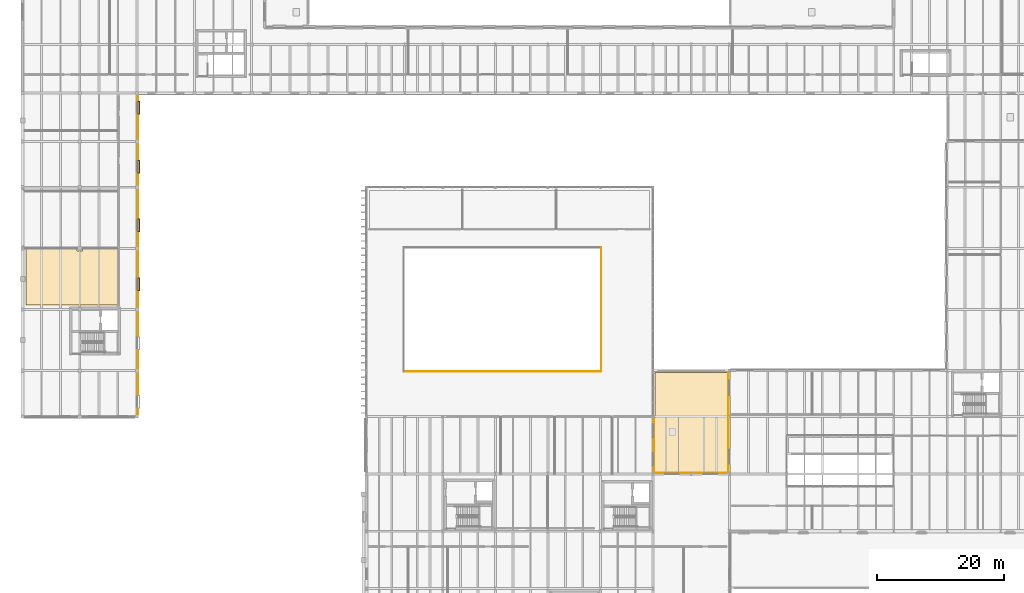
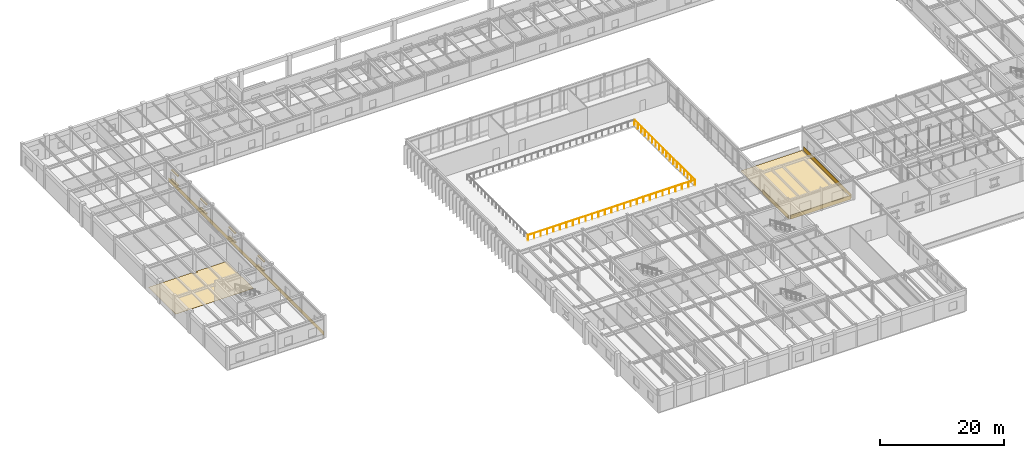
# One storey, part 60 of 64: 14 coverings, 2 railings.
"""IFC4 building model written with IfcOpenShell, lengths in metres."""

import ifcopenshell
import ifcopenshell.guid

model = None  # the IFC model being written
_history = None  # IfcOwnerHistory: only IFC2X3 demands one
_inside = {}  # id of a spatial element -> (the spatial element, [elements in it])
_under = {}  # id of a project, library or spatial element -> (it, [spatial elements below it])
_declared = {}  # id of a project -> (the project, [libraries it declares])
_typed = {}  # id of a type object -> (the type object, [elements of that type])
_made_of = {}  # id of a material, layer set ... -> (it, [elements and type objects made of it])


def new_model(schema):
    """Start an empty IFC model of exactly this schema.

    Asked for "IFC4X3", IfcOpenShell would pick the latest addendum, in which some entities
    have other attributes; the version numbers below select the first issue.
    IFC2X3 requires an IfcOwnerHistory on every rooted entity: one is made here for all.
    """
    global model, _history
    if schema == "IFC4X3":
        model = ifcopenshell.file(schema_version=(4, 3, 0, 0))
    else:
        model = ifcopenshell.file(schema=schema)
    _inside.clear()
    _under.clear()
    _declared.clear()
    _typed.clear()
    _made_of.clear()
    _history = None
    if model.schema == "IFC2X3":
        org = make("IfcOrganization", Name="unknown")
        user = make(
            "IfcPersonAndOrganization",
            ThePerson=make("IfcPerson", FamilyName="unknown"),
            TheOrganization=org,
        )
        app = make(
            "IfcApplication",
            ApplicationDeveloper=org,
            Version="unknown",
            ApplicationFullName="unknown",
            ApplicationIdentifier="unknown",
        )
        _history = make(
            "IfcOwnerHistory",
            OwningUser=user,
            OwningApplication=app,
            ChangeAction="ADDED",
            CreationDate=0,
        )
    return model


def make(cls, **values):
    """One entity of the class cls with the attributes given. An attribute that is None is left unset."""
    return model.create_entity(
        cls, **{name: value for name, value in values.items() if value is not None}
    )


def rooted(cls, **values):
    """An entity with a GlobalId (a new one), such as an element, a storey or a relation."""
    return make(cls, GlobalId=ifcopenshell.guid.new(), OwnerHistory=_history, **values)


def si_unit(unit_type, name, prefix=None):
    """IfcSIUnit, for example si_unit("LENGTHUNIT", "METRE", prefix="MILLI")."""
    return make("IfcSIUnit", UnitType=unit_type, Prefix=prefix, Name=name)


def assignment(units):
    """IfcUnitAssignment: the units of a project."""
    return None if units is None else make("IfcUnitAssignment", Units=units)


def point(xyz):
    """IfcCartesianPoint."""
    return None if xyz is None else make("IfcCartesianPoint", Coordinates=xyz)


def direction(xyz):
    """IfcDirection."""
    return None if xyz is None else make("IfcDirection", DirectionRatios=xyz)


def frame(location, z_axis=None, x_axis=None):
    """IfcAxis2Placement3D, a coordinate frame: its origin and axes. An axis left out is left unset."""
    return make(
        "IfcAxis2Placement3D",
        Location=point(location),
        Axis=direction(z_axis),
        RefDirection=direction(x_axis),
    )


def frame_2d(location, x_axis=None):
    """IfcAxis2Placement2D, a coordinate frame in the plane: its origin and x axis."""
    return make(
        "IfcAxis2Placement2D", Location=point(location), RefDirection=direction(x_axis)
    )


def origin():
    """The frame at (0, 0, 0) with its axes left unset."""
    return frame((0.0, 0.0, 0.0))


def origin_2d():
    """The frame at (0, 0) in the plane with its x axis left unset."""
    return frame_2d((0.0, 0.0))


def place(relative_to, where):
    """IfcLocalPlacement: puts the frame where relative to a parent placement (None: the world)."""
    return make(
        "IfcLocalPlacement", PlacementRelTo=relative_to, RelativePlacement=where
    )


def context(
    kind, dimensions, precision=None, world=None, true_north=None, identifier=None
):
    """IfcGeometricRepresentationContext, for example the 3D "Model" context."""
    return make(
        "IfcGeometricRepresentationContext",
        ContextIdentifier=identifier,
        ContextType=kind,
        CoordinateSpaceDimension=dimensions,
        Precision=precision,
        WorldCoordinateSystem=world,
        TrueNorth=true_north,
    )


def subcontext(parent, identifier, kind, view, scale=None):
    """IfcGeometricRepresentationSubContext, for example "Body" below "Model"."""
    return make(
        "IfcGeometricRepresentationSubContext",
        ContextIdentifier=identifier,
        ContextType=kind,
        ParentContext=parent,
        TargetScale=scale,
        TargetView=view,
    )


def project(units=None, contexts=None):
    """IfcProject with its units and contexts."""
    return rooted(
        "IfcProject",
        Name="project",
        RepresentationContexts=contexts,
        UnitsInContext=assignment(units),
    )


def spatial(cls, under=None, at=None, **own):
    """A site, building, storey or space (cls), placed at a placement, below another one or the project."""
    s = rooted(cls, ObjectPlacement=at, **own)
    if under is not None:
        _under.setdefault(under.id(), (under, []))[1].append(s)
    return s


def polyline(points):
    """IfcPolyline through the points."""
    return make("IfcPolyline", Points=[point(p) for p in points])


def profile(cls, at=None, kind="AREA", **sizes):
    """A parametric profile (cls). Its sizes go by their IFC names, for example OverallWidth=200.0."""
    return make(cls, ProfileType=kind, Position=at, **sizes)


def rectangle(**sizes):
    """IfcRectangleProfileDef."""
    return profile("IfcRectangleProfileDef", **sizes)


def circle(**sizes):
    """IfcCircleProfileDef."""
    return profile("IfcCircleProfileDef", **sizes)


def outline(outer, holes=None, kind="AREA"):
    """IfcArbitraryClosedProfileDef: a profile drawn as a closed curve; with holes, ...WithVoids."""
    if holes is None:
        return make("IfcArbitraryClosedProfileDef", ProfileType=kind, OuterCurve=outer)
    return make(
        "IfcArbitraryProfileDefWithVoids",
        ProfileType=kind,
        OuterCurve=outer,
        InnerCurves=holes,
    )


def extrude(swept, where, along, depth):
    """IfcExtrudedAreaSolid: the profile swept, set in the frame where, extruded along a direction by depth."""
    return make(
        "IfcExtrudedAreaSolid",
        SweptArea=swept,
        Position=where,
        ExtrudedDirection=direction(along),
        Depth=depth,
    )


def shape(context_of_items, identifier, shape_type, items):
    """IfcShapeRepresentation: the items that make up one representation, for example the "Body"."""
    return make(
        "IfcShapeRepresentation",
        ContextOfItems=context_of_items,
        RepresentationIdentifier=identifier,
        RepresentationType=shape_type,
        Items=items,
    )


def material(Name=None, Category=None):
    """IfcMaterial."""
    return make("IfcMaterial", Name=Name, Category=Category)


def layer(
    of_material, thickness, ventilated=None, Name=None, Category=None, Priority=None
):
    """IfcMaterialLayer: one layer of a wall or slab, of a material (None: an air gap)."""
    return make(
        "IfcMaterialLayer",
        Material=of_material,
        LayerThickness=thickness,
        IsVentilated=ventilated,
        Name=Name,
        Category=Category,
        Priority=Priority,
    )


def layer_set(layers, Name=None):
    """IfcMaterialLayerSet."""
    return make("IfcMaterialLayerSet", MaterialLayers=layers, LayerSetName=Name)


def made_of(thing, what):
    """Note that an element or type object is made of a material, layer set ...; save() writes the relation."""
    if what is not None:
        _made_of.setdefault(what.id(), (what, []))[1].append(thing)
    return thing


def type_object(cls, material=None, **own):
    """A type object (cls), such as IfcWallType, which elements share."""
    return made_of(rooted(cls, **own), material)


def element(
    cls,
    number,
    at=None,
    inside=None,
    cuts=None,
    type_object=None,
    material=None,
    context=None,
    identifier="Body",
    shape_type=None,
    held_by="IfcProductDefinitionShape",
    body=None,
    shapes=None,
    **own,
):
    """One element of the class cls, such as IfcWall. Its Tag is "e" and its number.

    at: its placement. inside: the storey or other place that contains it. cuts: it is an
    opening in that element (IfcRelVoidsElement). A single representation is given by context,
    identifier, shape_type and body (its items); several are given by shapes. held_by: the class
    of the entity that holds the representations. save() writes the other relations.
    """
    e = rooted(cls, Tag="e%d" % number, ObjectPlacement=at, **own)
    if body is not None:
        shapes = [shape(context, identifier, shape_type, body)]
    if shapes is not None:
        e.Representation = make(held_by, Representations=shapes)
    if inside is not None:
        _inside.setdefault(inside.id(), (inside, []))[1].append(e)
    if cuts is not None:
        rooted(
            "IfcRelVoidsElement", RelatingBuildingElement=cuts, RelatedOpeningElement=e
        )
    if type_object is not None:
        _typed.setdefault(type_object.id(), (type_object, []))[1].append(e)
    return made_of(e, material)


def aggregate(whole, parts):
    """IfcRelAggregates: a whole, such as a stair, and the parts it consists of."""
    return rooted("IfcRelAggregates", RelatingObject=whole, RelatedObjects=parts)


def save(model, path):
    """Write the relations noted so far, then the file.

    IfcRelAggregates (storeys below a building ...), IfcRelContainedInSpatialStructure (elements
    in a storey), IfcRelDefinesByType, IfcRelAssociatesMaterial and IfcRelDeclares: one each for
    every whole, place, type object, material and project.
    """
    for whole, parts in _under.values():
        aggregate(whole, parts)
    for where, things in _inside.values():
        rooted(
            "IfcRelContainedInSpatialStructure",
            RelatedElements=things,
            RelatingStructure=where,
        )
    for kind, things in _typed.values():
        rooted("IfcRelDefinesByType", RelatedObjects=things, RelatingType=kind)
    for what, things in _made_of.values():
        rooted("IfcRelAssociatesMaterial", RelatedObjects=things, RelatingMaterial=what)
    for by, libraries in _declared.values():
        rooted("IfcRelDeclares", RelatingContext=by, RelatedDefinitions=libraries)
    model.write(path)


model = new_model("IFC4")

# Units and contexts
model_context = context("Model", 3, precision=1e-05, world=origin(), true_north=direction((0.0, 1.0)))
body_context = subcontext(model_context, "Body", "Model", "MODEL_VIEW")
ifc_project = project(units=[si_unit("LENGTHUNIT", "METRE"), si_unit("AREAUNIT", "SQUARE_METRE"), si_unit("VOLUMEUNIT", "CUBIC_METRE"), si_unit("PLANEANGLEUNIT", "RADIAN"), si_unit("MASSUNIT", "GRAM", prefix="KILO")], contexts=[model_context])

# Site, building, storey
site_placement = place(None, origin())
site = spatial("IfcSite", under=ifc_project, at=site_placement, CompositionType="ELEMENT")
building_placement = place(site_placement, origin())
building = spatial("IfcBuilding", under=site, at=building_placement, Name="Montealbar Specialist Clinic", CompositionType="ELEMENT")
storey_placement = place(building_placement, frame((0.0, 0.0, 5.10009765625)))
storey = spatial("IfcBuildingStorey", under=building, at=storey_placement, Name="L01", CompositionType="ELEMENT", Elevation=5.10009765625)

# Coverings
ifc_material_1 = material(Name="Terracotta architectural cladding", Category="masonry")
ifc_layer_1 = layer(ifc_material_1, 0.044921875, Name="Terracotta architectural cladding", Category="masonry")
ifc_layer_set_1 = layer_set([ifc_layer_1], Name="Terracotta architectural cladding")
covering_type_1 = type_object("IfcCoveringType", Name="COV-CLAD-TERRA", PredefinedType="CLADDING", material=ifc_layer_set_1)
covering_1_placement = place(storey_placement, frame((18.159912109375, 70.39990234375, 0.02978515625), z_axis=(0.0, 0.0, 1.0), x_axis=(0.0, -1.0, 0.0)))
element("IfcCovering", 1, at=covering_1_placement, inside=storey, type_object=covering_type_1, Name="Facade Plinth Cladding Band L01-024", PredefinedType="CLADDING", context=body_context, shape_type="SweptSolid", body=[
    extrude(rectangle(XDim=50.0, YDim=0.044921875, at=origin_2d()), origin(), (0.0, 0.0, 1.0), 0.780029296875),
])
covering_2_placement = place(storey_placement, frame((99.14111328125, 40.5, 0.02978515625), z_axis=(0.0, 0.0, 1.0), x_axis=(0.0, -1.0, 0.0)))
element("IfcCovering", 2, at=covering_2_placement, inside=storey, type_object=covering_type_1, Name="Facade Plinth Cladding Band L01-027", PredefinedType="CLADDING", context=body_context, shape_type="SweptSolid", body=[
    extrude(rectangle(XDim=8.199951171875, YDim=0.044921875, at=origin_2d()), origin(), (0.0, 0.0, 1.0), 0.780029296875),
])
covering_3_placement = place(storey_placement, frame((105.0, 36.14111328125, 0.02978515625), z_axis=(0.0, 0.0, 1.0), x_axis=(1.0, 0.0, 0.0)))
element("IfcCovering", 3, at=covering_3_placement, inside=storey, type_object=covering_type_1, Name="Facade Plinth Cladding Band L01-028", PredefinedType="CLADDING", context=body_context, shape_type="SweptSolid", body=[
    extrude(rectangle(XDim=11.199951171875, YDim=0.044921875, at=origin_2d()), origin(), (0.0, 0.0, 1.0), 0.780029296875),
])
covering_4_placement = place(storey_placement, frame((110.85009765625, 44.10009765625, 0.02978515625), z_axis=(0.0, 0.0, 1.0), x_axis=(0.0, 1.0, 0.0)))
element("IfcCovering", 4, at=covering_4_placement, inside=storey, type_object=covering_type_1, Name="Facade Plinth Cladding Band L01-029", PredefinedType="CLADDING", context=body_context, shape_type="SweptSolid", body=[
    extrude(rectangle(XDim=15.39990234375, YDim=0.044921875, at=origin_2d()), origin(), (0.0, 0.0, 1.0), 0.780029296875),
])
ifc_material_2 = material(Name="Antimicrobial clinical linoleum", Category="wood")
ifc_layer_2 = layer(ifc_material_2, 0.02001953125, Name="Antimicrobial clinical linoleum", Category="wood")
ifc_layer_set_2 = layer_set([ifc_layer_2], Name="Antimicrobial clinical linoleum")
covering_type_2 = type_object("IfcCoveringType", Name="COV-FLR-LINOLEUM", PredefinedType="FLOORING", material=ifc_layer_set_2)
covering_5_placement = place(storey_placement, origin())
element("IfcCovering", 5, at=covering_5_placement, inside=storey, type_object=covering_type_2, Name="Clinical Flooring Interventional Ultrasound Treatment Room", PredefinedType="FLOORING", context=body_context, shape_type="SweptSolid", body=[
    extrude(outline(polyline([(0.530029296875, 71.27001953125), (8.580078125, 71.27001953125), (8.580078125, 70.97998046875), (9.419921875, 70.97998046875), (9.419921875, 71.27001953125), (14.969970703125, 71.27001953125), (14.969970703125, 62.530029296875), (0.530029296875, 62.530029296875), (0.530029296875, 71.27001953125)])), origin(), (0.0, 0.0, 1.0), 0.02001953125),
])
ifc_material_3 = material(Name="Guadarrama granite ashlar", Category="masonry")
ifc_layer_3 = layer(ifc_material_3, 0.280029296875, Name="Guadarrama granite ashlar", Category="masonry")
ifc_layer_set_3 = layer_set([ifc_layer_3], Name="Guadarrama granite ashlar")
covering_type_3 = type_object("IfcCoveringType", Name="COV-HOOD-OCULUS", PredefinedType="CLADDING", material=ifc_layer_set_3)
for number, where, z_axis, x_axis, name in (
    (6, (18.27490234375, 93.490966796875, 2.64990234375), (0.0, 0.0, 1.0), (0.0, -1.0, 0.0), "Postmodern Oculus Stone Frame L01-029-TOP"),
    (7, (18.27490234375, 93.490966796875, 0.830078125), (0.0, 0.0, 1.0), (0.0, -1.0, 0.0), "Postmodern Oculus Stone Frame L01-029-BOT"),
    (8, (18.27490234375, 84.2548828125, 2.64990234375), (0.0, 0.0, 1.0), (0.0, -1.0, 0.0), "Postmodern Oculus Stone Frame L01-030-TOP"),
    (9, (18.27490234375, 84.2548828125, 0.830078125), (0.0, 0.0, 1.0), (0.0, -1.0, 0.0), "Postmodern Oculus Stone Frame L01-030-BOT"),
    (10, (18.27490234375, 75.01806640625, 2.64990234375), (0.0, 0.0, 1.0), (0.0, -1.0, 0.0), "Postmodern Oculus Stone Frame L01-031-TOP"),
    (11, (18.27490234375, 75.01806640625, 0.830078125), (0.0, 0.0, 1.0), (0.0, -1.0, 0.0), "Postmodern Oculus Stone Frame L01-031-BOT"),
    (12, (18.27490234375, 65.781982421875, 2.64990234375), (0.0, 0.0, 1.0), (0.0, -1.0, 0.0), "Postmodern Oculus Stone Frame L01-032-TOP"),
    (13, (18.27490234375, 65.781982421875, 0.830078125), (0.0, 0.0, 1.0), (0.0, -1.0, 0.0), "Postmodern Oculus Stone Frame L01-032-BOT"),
):
    element("IfcCovering", number, at=place(storey_placement, frame(where, z_axis=z_axis, x_axis=x_axis)), inside=storey, type_object=covering_type_3, Name=name, PredefinedType="CLADDING", context=body_context, shape_type="SweptSolid", body=[
        extrude(rectangle(XDim=2.0400390625, YDim=0.280029296875, at=origin_2d()), origin(), (0.0, 0.0, 1.0), 0.199951171875),
    ])
ifc_material_4 = material(Name="Weatherproof roofing membrane", Category="concrete")
ifc_layer_4 = layer(ifc_material_4, 0.030029296875, Name="Weatherproof roofing membrane", Category="concrete")
ifc_layer_set_4 = layer_set([ifc_layer_4], Name="Weatherproof roofing membrane")
covering_type_4 = type_object("IfcCoveringType", Name="COV-ROOF-MEMB", PredefinedType="ROOFING", material=ifc_layer_set_4)
covering_6_placement = place(storey_placement, origin())
element("IfcCovering", 14, at=covering_6_placement, inside=storey, type_object=covering_type_4, Name="Weatherproof Roof Membrane ROOF-L01-05", PredefinedType="ROOFING", context=body_context, shape_type="SweptSolid", body=[
    extrude(outline(polyline([(110.719970703125, 36.280029296875), (99.280029296875, 36.280029296875), (99.280029296875, 51.919921875), (110.719970703125, 51.919921875), (110.719970703125, 36.280029296875)])), origin(), (0.0, 0.0, 1.0), 0.02978515625),
])

# Railings
ifc_material_5 = material(Name="Steel S355", Category="steel")
ifc_layer_5 = layer(ifc_material_5, 0.06005859375, Name="Steel S355", Category="steel")
ifc_layer_set_5 = layer_set([ifc_layer_5], Name="Steel S355")
railing_type = type_object("IfcRailingType", Name="RAIL-INT-BAL-1100", PredefinedType="BALUSTRADE", material=ifc_layer_set_5)
railing_1_placement = place(storey_placement, frame((59.8798828125, 52.080078125, 0.0)))
element("IfcRailing", 15, at=railing_1_placement, inside=storey, type_object=railing_type, Name="Winter Garden Gallery Balustrade S", PredefinedType="BALUSTRADE", context=body_context, shape_type="SweptSolid", body=[
    extrude(circle(Radius=0.02392578125, at=origin_2d()), frame((0.0, 0.0, 1.09619140625), z_axis=(1.0, 0.0, 0.0), x_axis=(0.0, 1.0, 0.0)), (0.0, 0.0, 1.0), 30.990234375),
    extrude(circle(Radius=0.02099609375, at=origin_2d()), frame((0.0, 0.0, -0.02490234375)), (0.0, 0.0, 1.0), 1.096923828125),
    extrude(circle(Radius=0.02099609375, at=origin_2d()), frame((1.19189453125, 0.0, -0.02490234375)), (0.0, 0.0, 1.0), 1.096923828125),
    extrude(circle(Radius=0.02099609375, at=origin_2d()), frame((2.3837890625, 0.0, -0.02490234375)), (0.0, 0.0, 1.0), 1.096923828125),
    extrude(circle(Radius=0.02099609375, at=origin_2d()), frame((3.57568359375, 0.0, -0.02490234375)), (0.0, 0.0, 1.0), 1.096923828125),
    extrude(circle(Radius=0.02099609375, at=origin_2d()), frame((4.767822265625, 0.0, -0.02490234375)), (0.0, 0.0, 1.0), 1.096923828125),
    extrude(circle(Radius=0.02099609375, at=origin_2d()), frame((5.959716796875, 0.0, -0.02490234375)), (0.0, 0.0, 1.0), 1.096923828125),
    extrude(circle(Radius=0.02099609375, at=origin_2d()), frame((7.151611328125, 0.0, -0.02490234375)), (0.0, 0.0, 1.0), 1.096923828125),
    extrude(circle(Radius=0.02099609375, at=origin_2d()), frame((8.343505859375, 0.0, -0.02490234375)), (0.0, 0.0, 1.0), 1.096923828125),
    extrude(circle(Radius=0.02099609375, at=origin_2d()), frame((9.535400390625, 0.0, -0.02490234375)), (0.0, 0.0, 1.0), 1.096923828125),
    extrude(circle(Radius=0.02099609375, at=origin_2d()), frame((10.727294921875, 0.0, -0.02490234375)), (0.0, 0.0, 1.0), 1.096923828125),
    extrude(circle(Radius=0.02099609375, at=origin_2d()), frame((11.91943359375, 0.0, -0.02490234375)), (0.0, 0.0, 1.0), 1.096923828125),
    extrude(circle(Radius=0.02099609375, at=origin_2d()), frame((13.111328125, 0.0, -0.02490234375)), (0.0, 0.0, 1.0), 1.096923828125),
    extrude(circle(Radius=0.02099609375, at=origin_2d()), frame((14.30322265625, 0.0, -0.02490234375)), (0.0, 0.0, 1.0), 1.096923828125),
    extrude(circle(Radius=0.02099609375, at=origin_2d()), frame((15.4951171875, 0.0, -0.02490234375)), (0.0, 0.0, 1.0), 1.096923828125),
    extrude(circle(Radius=0.02099609375, at=origin_2d()), frame((16.68701171875, 0.0, -0.02490234375)), (0.0, 0.0, 1.0), 1.096923828125),
    extrude(circle(Radius=0.02099609375, at=origin_2d()), frame((17.87890625, 0.0, -0.02490234375)), (0.0, 0.0, 1.0), 1.096923828125),
    extrude(circle(Radius=0.02099609375, at=origin_2d()), frame((19.07080078125, 0.0, -0.02490234375)), (0.0, 0.0, 1.0), 1.096923828125),
    extrude(circle(Radius=0.02099609375, at=origin_2d()), frame((20.262939453125, 0.0, -0.02490234375)), (0.0, 0.0, 1.0), 1.096923828125),
    extrude(circle(Radius=0.02099609375, at=origin_2d()), frame((21.454833984375, 0.0, -0.02490234375)), (0.0, 0.0, 1.0), 1.096923828125),
    extrude(circle(Radius=0.02099609375, at=origin_2d()), frame((22.646728515625, 0.0, -0.02490234375)), (0.0, 0.0, 1.0), 1.096923828125),
    extrude(circle(Radius=0.02099609375, at=origin_2d()), frame((23.838623046875, 0.0, -0.02490234375)), (0.0, 0.0, 1.0), 1.096923828125),
    extrude(circle(Radius=0.02099609375, at=origin_2d()), frame((25.030517578125, 0.0, -0.02490234375)), (0.0, 0.0, 1.0), 1.096923828125),
    extrude(circle(Radius=0.02099609375, at=origin_2d()), frame((26.222412109375, 0.0, -0.02490234375)), (0.0, 0.0, 1.0), 1.096923828125),
    extrude(circle(Radius=0.02099609375, at=origin_2d()), frame((27.41455078125, 0.0, -0.02490234375)), (0.0, 0.0, 1.0), 1.096923828125),
    extrude(circle(Radius=0.02099609375, at=origin_2d()), frame((28.6064453125, 0.0, -0.02490234375)), (0.0, 0.0, 1.0), 1.096923828125),
    extrude(circle(Radius=0.02099609375, at=origin_2d()), frame((29.79833984375, 0.0, -0.02490234375)), (0.0, 0.0, 1.0), 1.096923828125),
    extrude(circle(Radius=0.02099609375, at=origin_2d()), frame((30.990234375, 0.0, -0.02490234375)), (0.0, 0.0, 1.0), 1.096923828125),
])
railing_2_placement = place(storey_placement, frame((90.8701171875, 52.080078125, 0.0)))
element("IfcRailing", 16, at=railing_2_placement, inside=storey, type_object=railing_type, Name="Winter Garden Gallery Balustrade E", PredefinedType="BALUSTRADE", context=body_context, shape_type="SweptSolid", body=[
    extrude(circle(Radius=0.02392578125, at=origin_2d()), frame((0.0, 0.0, 1.09619140625), z_axis=(0.0, 1.0, 0.0), x_axis=(-1.0, 0.0, 0.0)), (0.0, 0.0, 1.0), 19.43994140625),
    extrude(circle(Radius=0.02099609375, at=origin_2d()), frame((0.0, 0.0, -0.02490234375)), (0.0, 0.0, 1.0), 1.096923828125),
    extrude(circle(Radius=0.02099609375, at=origin_2d()), frame((0.0, 1.1435546875, -0.02490234375)), (0.0, 0.0, 1.0), 1.096923828125),
    extrude(circle(Radius=0.02099609375, at=origin_2d()), frame((0.0, 2.287109375, -0.02490234375)), (0.0, 0.0, 1.0), 1.096923828125),
    extrude(circle(Radius=0.02099609375, at=origin_2d()), frame((0.0, 3.4306640625, -0.02490234375)), (0.0, 0.0, 1.0), 1.096923828125),
    extrude(circle(Radius=0.02099609375, at=origin_2d()), frame((0.0, 4.57421875, -0.02490234375)), (0.0, 0.0, 1.0), 1.096923828125),
    extrude(circle(Radius=0.02099609375, at=origin_2d()), frame((0.0, 5.717529296875, -0.02490234375)), (0.0, 0.0, 1.0), 1.096923828125),
    extrude(circle(Radius=0.02099609375, at=origin_2d()), frame((0.0, 6.861083984375, -0.02490234375)), (0.0, 0.0, 1.0), 1.096923828125),
    extrude(circle(Radius=0.02099609375, at=origin_2d()), frame((0.0, 8.004638671875, -0.02490234375)), (0.0, 0.0, 1.0), 1.096923828125),
    extrude(circle(Radius=0.02099609375, at=origin_2d()), frame((0.0, 9.148193359375, -0.02490234375)), (0.0, 0.0, 1.0), 1.096923828125),
    extrude(circle(Radius=0.02099609375, at=origin_2d()), frame((0.0, 10.291748046875, -0.02490234375)), (0.0, 0.0, 1.0), 1.096923828125),
    extrude(circle(Radius=0.02099609375, at=origin_2d()), frame((0.0, 11.435302734375, -0.02490234375)), (0.0, 0.0, 1.0), 1.096923828125),
    extrude(circle(Radius=0.02099609375, at=origin_2d()), frame((0.0, 12.578857421875, -0.02490234375)), (0.0, 0.0, 1.0), 1.096923828125),
    extrude(circle(Radius=0.02099609375, at=origin_2d()), frame((0.0, 13.722412109375, -0.02490234375)), (0.0, 0.0, 1.0), 1.096923828125),
    extrude(circle(Radius=0.02099609375, at=origin_2d()), frame((0.0, 14.86572265625, -0.02490234375)), (0.0, 0.0, 1.0), 1.096923828125),
    extrude(circle(Radius=0.02099609375, at=origin_2d()), frame((0.0, 16.00927734375, -0.02490234375)), (0.0, 0.0, 1.0), 1.096923828125),
    extrude(circle(Radius=0.02099609375, at=origin_2d()), frame((0.0, 17.15283203125, -0.02490234375)), (0.0, 0.0, 1.0), 1.096923828125),
    extrude(circle(Radius=0.02099609375, at=origin_2d()), frame((0.0, 18.29638671875, -0.02490234375)), (0.0, 0.0, 1.0), 1.096923828125),
    extrude(circle(Radius=0.02099609375, at=origin_2d()), frame((0.0, 19.43994140625, -0.02490234375)), (0.0, 0.0, 1.0), 1.096923828125),
])

save(model, "model.ifc")
